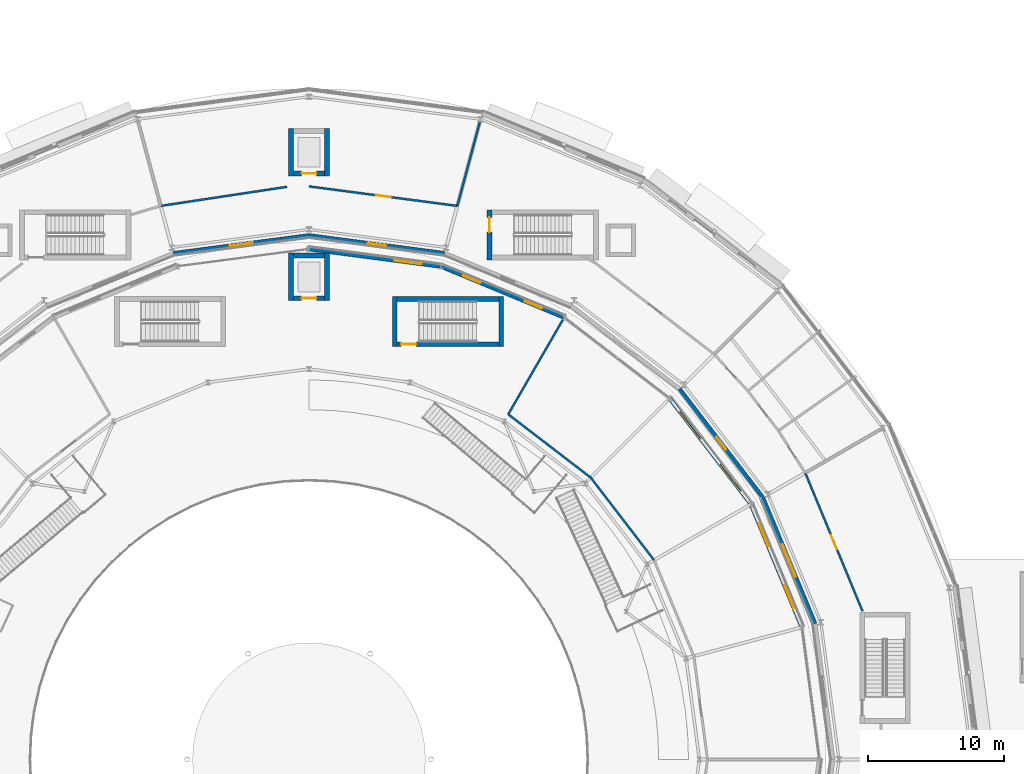
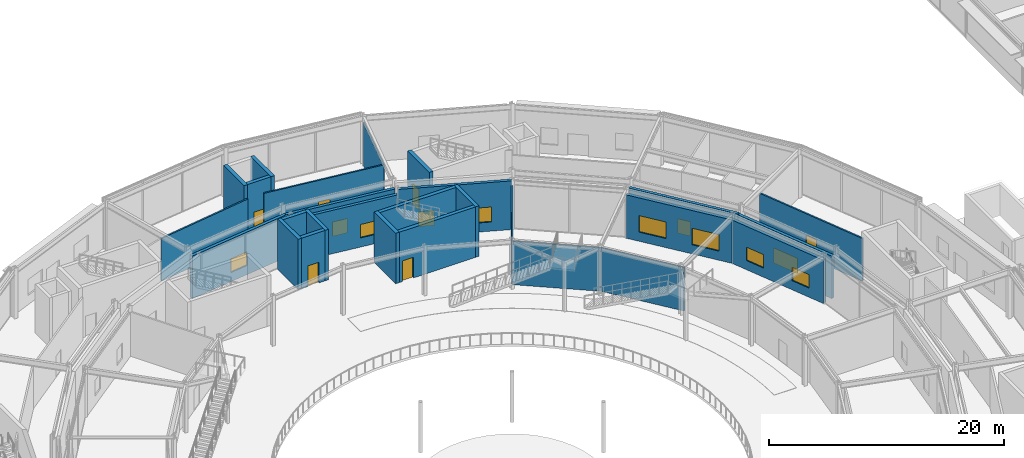
# One storey, part 125 of 168: 27 walls, 11 windows, 6 doors, 17 openings.
"""IFC4 building model written with IfcOpenShell, lengths in metres."""

from ifc_helpers import new_model, si_unit, direction, frame, frame_2d, origin, place, context, subcontext, project, spatial, rectangle, extrude, material, layer, layer_set, type_object, element, fill, save


model = new_model("IFC4")

# Units and contexts
model_context = context("Model", 3, precision=1e-05, world=origin(), true_north=direction((0.0, 1.0)))
body_context = subcontext(model_context, "Body", "Model", "MODEL_VIEW")
ifc_project = project(units=[si_unit("LENGTHUNIT", "METRE"), si_unit("AREAUNIT", "SQUARE_METRE"), si_unit("VOLUMEUNIT", "CUBIC_METRE"), si_unit("PLANEANGLEUNIT", "RADIAN"), si_unit("MASSUNIT", "GRAM", prefix="KILO")], contexts=[model_context])

# Site, building, storey
site_placement = place(None, origin())
site = spatial("IfcSite", under=ifc_project, at=site_placement, CompositionType="ELEMENT")
building_placement = place(site_placement, origin())
building = spatial("IfcBuilding", under=site, at=building_placement, Name="Almandine Court Research Institute", CompositionType="ELEMENT")
storey_placement = place(building_placement, origin())
storey = spatial("IfcBuildingStorey", under=building, at=storey_placement, Name="L00", CompositionType="ELEMENT", Elevation=0.0)

# Wall, opening, window
ifc_material_1 = material(Name="Insulated Ochre Terracotta Rainscreen Wall", Category="masonry")
ifc_layer_1 = layer(ifc_material_1, 0.2900390625)
ifc_layer_set_1 = layer_set([ifc_layer_1], Name="Insulated Ochre Terracotta Rainscreen Wall")
wall_type_1 = type_object("IfcWallType", Name="Wall-EXT-TERR-290", PredefinedType="SOLIDWALL", material=ifc_layer_set_1)
wall_1_placement = place(storey_placement, frame((124.341064453125, 66.011962890625, 0.0), z_axis=(0.0, 0.0, 1.0), x_axis=(-0.382733240508, 0.92385889973, 0.0)))
wall_1 = element("IfcWall", 1, at=wall_1_placement, inside=storey, type_object=wall_type_1, Name="L00 Drum Inner Gallery Wall 01", PredefinedType="SOLIDWALL", context=body_context, shape_type="SweptSolid", body=[
    extrude(rectangle(XDim=10.08056640625, YDim=0.2900390625, at=frame_2d((5.040283203125, 0.0))), origin(), (0.0, 0.0, 1.0), 4.43310546875),
])
opening_1_placement = place(wall_1_placement, frame((3.7451171875, 0.0, 0.949951171875)))
opening_1 = element("IfcOpeningElement", 2, at=opening_1_placement, cuts=wall_1, Name="Opening WN-99", PredefinedType="OPENING", context=body_context, shape_type="SweptSolid", body=[
    extrude(rectangle(XDim=2.590087890625, YDim=1.590087890625, at=frame_2d((1.294921875, 0.794921875))), frame((0.0, 0.155029296875, 0.0), z_axis=(0.0, -1.0, 0.0), x_axis=(1.0, 0.0, 0.0)), (0.0, 0.0, 1.0), 0.31005859375),
])
ifc_material_2 = material(Name="Thermally Broken Low-E Double-Glazed Window", Category="glass")
window_type_1 = type_object("IfcWindowType", Name="Win-WN-99-2590x1590", PartitioningType="SINGLE_PANEL", PredefinedType="WINDOW", material=ifc_material_2)
window_1_placement = place(opening_1_placement, origin())
window_1 = element("IfcWindow", 3, at=window_1_placement, inside=storey, type_object=window_type_1, Name="L00 Modular Recessed Low-E Window 212", OverallHeight=1.590087890625, OverallWidth=2.590087890625, PartitioningType="SINGLE_PANEL", PredefinedType="WINDOW", context=body_context, shape_type="SweptSolid", body=[
    extrude(rectangle(XDim=2.590087890625, YDim=1.590087890625, at=frame_2d((1.294921875, 0.794921875))), frame((0.0, 0.030029296875, 0.0), z_axis=(0.0, -1.0, 0.0), x_axis=(1.0, 0.0, 0.0)), (0.0, 0.0, 1.0), 0.06005859375),
])
fill(opening_1, window_1)

wall_2_placement = place(storey_placement, frame((120.47705078125, 75.3349609375, 0.0), z_axis=(0.0, 0.0, 1.0), x_axis=(-0.608737604027, 0.793371621275, 0.0)))
wall_2 = element("IfcWall", 4, at=wall_2_placement, inside=storey, type_object=wall_type_1, Name="L00 Drum Inner Gallery Wall 02", PredefinedType="SOLIDWALL", context=body_context, shape_type="SweptSolid", body=[
    extrude(rectangle(XDim=10.079833984375, YDim=0.2900390625, at=frame_2d((5.0400390625, 0.0))), origin(), (0.0, 0.0, 1.0), 4.51611328125),
])
opening_2_placement = place(wall_2_placement, frame((4.4599609375, 0.0, 0.949951171875)))
opening_2 = element("IfcOpeningElement", 5, at=opening_2_placement, cuts=wall_2, Name="Opening WN-100", PredefinedType="OPENING", context=body_context, shape_type="SweptSolid", body=[
    extrude(rectangle(XDim=1.159912109375, YDim=1.510009765625, at=frame_2d((0.580078125, 0.7548828125))), frame((0.0, 0.155029296875, 0.0), z_axis=(0.0, -1.0, 0.0), x_axis=(1.0, 0.0, 0.0)), (0.0, 0.0, 1.0), 0.31005859375),
])
window_type_2 = type_object("IfcWindowType", Name="Win-WN-100-1160x1510", PartitioningType="SINGLE_PANEL", PredefinedType="WINDOW", material=ifc_material_2)
window_2_placement = place(opening_2_placement, origin())
window_2 = element("IfcWindow", 6, at=window_2_placement, inside=storey, type_object=window_type_2, Name="L00 Modular Recessed Low-E Window 213", OverallHeight=1.510009765625, OverallWidth=1.159912109375, PartitioningType="SINGLE_PANEL", PredefinedType="WINDOW", context=body_context, shape_type="SweptSolid", body=[
    extrude(rectangle(XDim=1.159912109375, YDim=1.510009765625, at=frame_2d((0.580078125, 0.7548828125))), frame((0.0, 0.030029296875, 0.0), z_axis=(0.0, -1.0, 0.0), x_axis=(1.0, 0.0, 0.0)), (0.0, 0.0, 1.0), 0.06005859375),
])
fill(opening_2, window_2)

wall_3_placement = place(storey_placement, frame((97.0, 93.343994140625, 0.0), z_axis=(0.0, 0.0, 1.0), x_axis=(-0.991454872597, 0.130450126879, 0.0)))
wall_3 = element("IfcWall", 7, at=wall_3_placement, inside=storey, type_object=wall_type_1, Name="L00 Drum Inner Gallery Wall 05", PredefinedType="SOLIDWALL", context=body_context, shape_type="SweptSolid", body=[
    extrude(rectangle(XDim=10.080078125, YDim=0.2900390625, at=frame_2d((5.0400390625, 0.0))), origin(), (0.0, 0.0, 1.0), 4.43310546875),
])
opening_3_placement = place(wall_3_placement, frame((4.35009765625, 0.0, 0.949951171875)))
opening_3 = element("IfcOpeningElement", 8, at=opening_3_placement, cuts=wall_3, Name="Opening WN-102", PredefinedType="OPENING", context=body_context, shape_type="SweptSolid", body=[
    extrude(rectangle(XDim=1.3798828125, YDim=1.510009765625, at=frame_2d((0.68994140625, 0.7548828125))), frame((0.0, 0.155029296875, 0.0), z_axis=(0.0, -1.0, 0.0), x_axis=(1.0, 0.0, 0.0)), (0.0, 0.0, 1.0), 0.31005859375),
])
window_type_3 = type_object("IfcWindowType", Name="Win-WN-102-1380x1510", PartitioningType="SINGLE_PANEL", PredefinedType="WINDOW", material=ifc_material_2)
window_3_placement = place(opening_3_placement, origin())
window_3 = element("IfcWindow", 9, at=window_3_placement, inside=storey, type_object=window_type_3, Name="L00 Modular Recessed Low-E Window 219", OverallHeight=1.510009765625, OverallWidth=1.3798828125, PartitioningType="SINGLE_PANEL", PredefinedType="WINDOW", context=body_context, shape_type="SweptSolid", body=[
    extrude(rectangle(XDim=1.3798828125, YDim=1.510009765625, at=frame_2d((0.68994140625, 0.7548828125))), frame((0.0, 0.030029296875, 0.0), z_axis=(0.0, -1.0, 0.0), x_axis=(1.0, 0.0, 0.0)), (0.0, 0.0, 1.0), 0.06005859375),
])
fill(opening_3, window_3)

wall_4_placement = place(storey_placement, frame((86.993896484375, 94.658935546875, 0.0), z_axis=(0.0, 0.0, 1.0), x_axis=(-0.991454872597, -0.130450126879, 0.0)))
wall_4 = element("IfcWall", 10, at=wall_4_placement, inside=storey, type_object=wall_type_1, Name="L00 Drum Inner Gallery Wall 06", PredefinedType="SOLIDWALL", context=body_context, shape_type="SweptSolid", body=[
    extrude(rectangle(XDim=10.080078125, YDim=0.2900390625, at=frame_2d((5.0400390625, 0.0))), origin(), (0.0, 0.0, 1.0), 4.43310546875),
])
opening_4_placement = place(wall_4_placement, frame((4.18505859375, 0.0, 0.949951171875)))
opening_4 = element("IfcOpeningElement", 11, at=opening_4_placement, cuts=wall_4, Name="Opening WN-103", PredefinedType="OPENING", context=body_context, shape_type="SweptSolid", body=[
    extrude(rectangle(XDim=1.7099609375, YDim=1.429931640625, at=frame_2d((0.85498046875, 0.71484375))), frame((0.0, 0.155029296875, 0.0), z_axis=(0.0, -1.0, 0.0), x_axis=(1.0, 0.0, 0.0)), (0.0, 0.0, 1.0), 0.31005859375),
])
window_type_4 = type_object("IfcWindowType", Name="Win-WN-103-1710x1430", PartitioningType="SINGLE_PANEL", PredefinedType="WINDOW", material=ifc_material_2)
window_4_placement = place(opening_4_placement, origin())
window_4 = element("IfcWindow", 12, at=window_4_placement, inside=storey, type_object=window_type_4, Name="L00 Modular Recessed Low-E Window 220", OverallHeight=1.429931640625, OverallWidth=1.7099609375, PartitioningType="SINGLE_PANEL", PredefinedType="WINDOW", context=body_context, shape_type="SweptSolid", body=[
    extrude(rectangle(XDim=1.7099609375, YDim=1.429931640625, at=frame_2d((0.85498046875, 0.71484375))), frame((0.0, 0.030029296875, 0.0), z_axis=(0.0, -1.0, 0.0), x_axis=(1.0, 0.0, 0.0)), (0.0, 0.0, 1.0), 0.06005859375),
])
fill(opening_4, window_4)

# Wall, openings, windows
wall_5_placement = place(storey_placement, frame((119.60693359375, 74.821044921875, 0.0), z_axis=(0.0, 0.0, 1.0), x_axis=(0.382759423628, -0.923848052238, 0.0)))
wall_5 = element("IfcWall", 13, at=wall_5_placement, inside=storey, type_object=wall_type_1, Name="L00 Interaction Atrium Perimeter Wall 01", PredefinedType="SOLIDWALL", context=body_context, shape_type="SweptSolid", body=[
    extrude(rectangle(XDim=9.82080078125, YDim=0.2900390625, at=frame_2d((4.910400390625, 0.0))), origin(), (0.0, 0.0, 1.0), 4.511962890625),
])
opening_5_placement = place(wall_5_placement, frame((1.544921875, 0.0, 0.949951171875)))
opening_5 = element("IfcOpeningElement", 14, at=opening_5_placement, cuts=wall_5, Name="Opening WN-09", PredefinedType="OPENING", context=body_context, shape_type="SweptSolid", body=[
    extrude(rectangle(XDim=1.820068359375, YDim=1.39990234375, at=frame_2d((0.91015625, 0.699951171875))), frame((0.0, 0.155029296875, 0.0), z_axis=(0.0, -1.0, 0.0), x_axis=(1.0, 0.0, 0.0)), (0.0, 0.0, 1.0), 0.31005859375),
])
opening_6_placement = place(wall_5_placement, frame((6.4560546875, 0.0, 0.949951171875)))
opening_6 = element("IfcOpeningElement", 15, at=opening_6_placement, cuts=wall_5, Name="Opening WN-09", PredefinedType="OPENING", context=body_context, shape_type="SweptSolid", body=[
    extrude(rectangle(XDim=1.820068359375, YDim=1.39990234375, at=frame_2d((0.91015625, 0.699951171875))), frame((0.0, 0.155029296875, 0.0), z_axis=(0.0, -1.0, 0.0), x_axis=(1.0, 0.0, 0.0)), (0.0, 0.0, 1.0), 0.31005859375),
])
window_type_5 = type_object("IfcWindowType", Name="Win-WN-09-1820x1400", PartitioningType="SINGLE_PANEL", PredefinedType="WINDOW", material=ifc_material_2)
window_5_placement = place(opening_5_placement, origin())
window_5 = element("IfcWindow", 16, at=window_5_placement, inside=storey, type_object=window_type_5, Name="L00 Modular Recessed Low-E Window 311", OverallHeight=1.39990234375, OverallWidth=1.820068359375, PartitioningType="SINGLE_PANEL", PredefinedType="WINDOW", context=body_context, shape_type="SweptSolid", body=[
    extrude(rectangle(XDim=1.820068359375, YDim=1.39990234375, at=frame_2d((0.91015625, 0.699951171875))), frame((0.0, 0.030029296875, 0.0), z_axis=(0.0, -1.0, 0.0), x_axis=(1.0, 0.0, 0.0)), (0.0, 0.0, 1.0), 0.06005859375),
])
fill(opening_5, window_5)
window_6_placement = place(opening_6_placement, origin())
window_6 = element("IfcWindow", 17, at=window_6_placement, inside=storey, type_object=window_type_5, Name="L00 Modular Recessed Low-E Window 312", OverallHeight=1.39990234375, OverallWidth=1.820068359375, PartitioningType="SINGLE_PANEL", PredefinedType="WINDOW", context=body_context, shape_type="SweptSolid", body=[
    extrude(rectangle(XDim=1.820068359375, YDim=1.39990234375, at=frame_2d((0.91015625, 0.699951171875))), frame((0.0, 0.030029296875, 0.0), z_axis=(0.0, -1.0, 0.0), x_axis=(1.0, 0.0, 0.0)), (0.0, 0.0, 1.0), 0.06005859375),
])
fill(opening_6, window_6)

wall_6_placement = place(storey_placement, frame((113.625, 82.618896484375, 0.0), z_axis=(0.0, 0.0, 1.0), x_axis=(0.608746738158, -0.793364612762, 0.0)))
wall_6 = element("IfcWall", 18, at=wall_6_placement, inside=storey, type_object=wall_type_1, Name="L00 Interaction Atrium Perimeter Wall 02", PredefinedType="SOLIDWALL", context=body_context, shape_type="SweptSolid", body=[
    extrude(rectangle(XDim=9.8203125, YDim=0.2900390625, at=frame_2d((4.91015625, 0.0))), origin(), (0.0, 0.0, 1.0), 4.511962890625),
])
opening_7_placement = place(wall_6_placement, frame((1.215087890625, 0.0, 0.949951171875)))
opening_7 = element("IfcOpeningElement", 19, at=opening_7_placement, cuts=wall_6, Name="Opening WN-74", PredefinedType="OPENING", context=body_context, shape_type="SweptSolid", body=[
    extrude(rectangle(XDim=2.47998046875, YDim=1.719970703125, at=frame_2d((1.239990234375, 0.85986328125))), frame((0.0, 0.155029296875, 0.0), z_axis=(0.0, -1.0, 0.0), x_axis=(1.0, 0.0, 0.0)), (0.0, 0.0, 1.0), 0.31005859375),
])
opening_8_placement = place(wall_6_placement, frame((6.125, 0.0, 0.949951171875)))
opening_8 = element("IfcOpeningElement", 20, at=opening_8_placement, cuts=wall_6, Name="Opening WN-74", PredefinedType="OPENING", context=body_context, shape_type="SweptSolid", body=[
    extrude(rectangle(XDim=2.47998046875, YDim=1.719970703125, at=frame_2d((1.239990234375, 0.85986328125))), frame((0.0, 0.155029296875, 0.0), z_axis=(0.0, -1.0, 0.0), x_axis=(1.0, 0.0, 0.0)), (0.0, 0.0, 1.0), 0.31005859375),
])
window_type_6 = type_object("IfcWindowType", Name="Win-WN-74-2480x1720", PartitioningType="SINGLE_PANEL", PredefinedType="WINDOW", material=ifc_material_2)
window_7_placement = place(opening_7_placement, origin())
window_7 = element("IfcWindow", 21, at=window_7_placement, inside=storey, type_object=window_type_6, Name="L00 Modular Recessed Low-E Window 313", OverallHeight=1.719970703125, OverallWidth=2.47998046875, PartitioningType="SINGLE_PANEL", PredefinedType="WINDOW", context=body_context, shape_type="SweptSolid", body=[
    extrude(rectangle(XDim=2.47998046875, YDim=1.719970703125, at=frame_2d((1.239990234375, 0.85986328125))), frame((0.0, 0.030029296875, 0.0), z_axis=(0.0, -1.0, 0.0), x_axis=(1.0, 0.0, 0.0)), (0.0, 0.0, 1.0), 0.06005859375),
])
fill(opening_7, window_7)
window_8_placement = place(opening_8_placement, origin())
window_8 = element("IfcWindow", 22, at=window_8_placement, inside=storey, type_object=window_type_6, Name="L00 Modular Recessed Low-E Window 314", OverallHeight=1.719970703125, OverallWidth=2.47998046875, PartitioningType="SINGLE_PANEL", PredefinedType="WINDOW", context=body_context, shape_type="SweptSolid", body=[
    extrude(rectangle(XDim=2.47998046875, YDim=1.719970703125, at=frame_2d((1.239990234375, 0.85986328125))), frame((0.0, 0.030029296875, 0.0), z_axis=(0.0, -1.0, 0.0), x_axis=(1.0, 0.0, 0.0)), (0.0, 0.0, 1.0), 0.06005859375),
])
fill(opening_8, window_8)

wall_7_placement = place(storey_placement, frame((96.748046875, 92.365966796875, 0.0), z_axis=(0.0, 0.0, 1.0), x_axis=(0.923848052238, -0.382759423628, 0.0)))
wall_7 = element("IfcWall", 23, at=wall_7_placement, inside=storey, type_object=wall_type_1, Name="L00 Interaction Atrium Perimeter Wall 04", PredefinedType="SOLIDWALL", context=body_context, shape_type="SweptSolid", body=[
    extrude(rectangle(XDim=9.82080078125, YDim=0.2900390625, at=frame_2d((4.910400390625, 0.0))), origin(), (0.0, 0.0, 1.0), 5.070068359375),
])
opening_9_placement = place(wall_7_placement, frame((1.764892578125, 0.0, 0.949951171875)))
opening_9 = element("IfcOpeningElement", 24, at=opening_9_placement, cuts=wall_7, Name="Opening WN-75", PredefinedType="OPENING", context=body_context, shape_type="SweptSolid", body=[
    extrude(rectangle(XDim=1.3798828125, YDim=1.56005859375, at=frame_2d((0.68994140625, 0.780029296875))), frame((0.0, 0.155029296875, 0.0), z_axis=(0.0, -1.0, 0.0), x_axis=(1.0, 0.0, 0.0)), (0.0, 0.0, 1.0), 0.31005859375),
])
opening_10_placement = place(wall_7_placement, frame((6.676025390625, 0.0, 0.949951171875)))
opening_10 = element("IfcOpeningElement", 25, at=opening_10_placement, cuts=wall_7, Name="Opening WN-75", PredefinedType="OPENING", context=body_context, shape_type="SweptSolid", body=[
    extrude(rectangle(XDim=1.3798828125, YDim=1.56005859375, at=frame_2d((0.68994140625, 0.780029296875))), frame((0.0, 0.155029296875, 0.0), z_axis=(0.0, -1.0, 0.0), x_axis=(1.0, 0.0, 0.0)), (0.0, 0.0, 1.0), 0.31005859375),
])
window_type_7 = type_object("IfcWindowType", Name="Win-WN-75-1380x1560", PartitioningType="SINGLE_PANEL", PredefinedType="WINDOW", material=ifc_material_2)
window_9_placement = place(opening_9_placement, origin())
window_9 = element("IfcWindow", 26, at=window_9_placement, inside=storey, type_object=window_type_7, Name="L00 Modular Recessed Low-E Window 315", OverallHeight=1.56005859375, OverallWidth=1.3798828125, PartitioningType="SINGLE_PANEL", PredefinedType="WINDOW", context=body_context, shape_type="SweptSolid", body=[
    extrude(rectangle(XDim=1.3798828125, YDim=1.56005859375, at=frame_2d((0.68994140625, 0.780029296875))), frame((0.0, 0.030029296875, 0.0), z_axis=(0.0, -1.0, 0.0), x_axis=(1.0, 0.0, 0.0)), (0.0, 0.0, 1.0), 0.06005859375),
])
fill(opening_9, window_9)
window_10_placement = place(opening_10_placement, origin())
window_10 = element("IfcWindow", 27, at=window_10_placement, inside=storey, type_object=window_type_7, Name="L00 Modular Recessed Low-E Window 316", OverallHeight=1.56005859375, OverallWidth=1.3798828125, PartitioningType="SINGLE_PANEL", PredefinedType="WINDOW", context=body_context, shape_type="SweptSolid", body=[
    extrude(rectangle(XDim=1.3798828125, YDim=1.56005859375, at=frame_2d((0.68994140625, 0.780029296875))), frame((0.0, 0.030029296875, 0.0), z_axis=(0.0, -1.0, 0.0), x_axis=(1.0, 0.0, 0.0)), (0.0, 0.0, 1.0), 0.06005859375),
])
fill(opening_10, window_10)

# Wall, opening, window
wall_8_placement = place(storey_placement, frame((87.00390625, 93.64892578125, 0.0), z_axis=(0.0, 0.0, 1.0), x_axis=(0.991456749128, -0.130435863969, 0.0)))
wall_8 = element("IfcWall", 28, at=wall_8_placement, inside=storey, type_object=wall_type_1, Name="L00 Interaction Atrium Perimeter Wall 05", PredefinedType="SOLIDWALL", context=body_context, shape_type="SweptSolid", body=[
    extrude(rectangle(XDim=9.821044921875, YDim=0.2900390625, at=frame_2d((4.91064453125, 0.0))), origin(), (0.0, 0.0, 1.0), 4.51611328125),
])
opening_11_placement = place(wall_8_placement, frame((6.345947265625, 0.0, 0.949951171875)))
opening_11 = element("IfcOpeningElement", 29, at=opening_11_placement, cuts=wall_8, Name="Opening WN-76", PredefinedType="OPENING", context=body_context, shape_type="SweptSolid", body=[
    extrude(rectangle(XDim=2.0400390625, YDim=1.39990234375, at=frame_2d((1.02001953125, 0.699951171875))), frame((0.0, 0.155029296875, 0.0), z_axis=(0.0, -1.0, 0.0), x_axis=(1.0, 0.0, 0.0)), (0.0, 0.0, 1.0), 0.31005859375),
])
window_type_8 = type_object("IfcWindowType", Name="Win-WN-76-2040x1400", PartitioningType="SINGLE_PANEL", PredefinedType="WINDOW", material=ifc_material_2)
window_11_placement = place(opening_11_placement, origin())
window_11 = element("IfcWindow", 30, at=window_11_placement, inside=storey, type_object=window_type_8, Name="L00 Modular Recessed Low-E Window 317", OverallHeight=1.39990234375, OverallWidth=2.0400390625, PartitioningType="SINGLE_PANEL", PredefinedType="WINDOW", context=body_context, shape_type="SweptSolid", body=[
    extrude(rectangle(XDim=2.0400390625, YDim=1.39990234375, at=frame_2d((1.02001953125, 0.699951171875))), frame((0.0, 0.030029296875, 0.0), z_axis=(0.0, -1.0, 0.0), x_axis=(1.0, 0.0, 0.0)), (0.0, 0.0, 1.0), 0.06005859375),
])
fill(opening_11, window_11)

# Wall, opening, door
ifc_material_3 = material(Name="Acoustic Steel-Stud Gypsum Partition Wall", Category="steel")
ifc_layer_2 = layer(ifc_material_3, 0.14990234375)
ifc_layer_set_2 = layer_set([ifc_layer_2], Name="Acoustic Steel-Stud Gypsum Partition Wall")
wall_type_2 = type_object("IfcWallType", Name="Wall-PART-150", PredefinedType="PARTITIONING", material=ifc_layer_set_2)
wall_9_placement = place(storey_placement, frame((127.839111328125, 66.943115234375, 0.0), z_axis=(0.0, 0.0, 1.0), x_axis=(-0.382644845446, 0.923895514793, 0.0)))
wall_9 = element("IfcWall", 31, at=wall_9_placement, inside=storey, type_object=wall_type_2, Name="L00 Interior Partition W-V5-L00-CHD-01", PredefinedType="PARTITIONING", context=body_context, shape_type="SweptSolid", body=[
    extrude(rectangle(XDim=11.03662109375, YDim=0.14990234375, at=frame_2d((5.518310546875, 0.0))), origin(), (0.0, 0.0, 1.0), 4.43798828125),
])
opening_12_placement = place(wall_9_placement, frame((4.949951171875, 0.0, 0.0)))
opening_12 = element("IfcOpeningElement", 32, at=opening_12_placement, cuts=wall_9, Name="Opening D-03", PredefinedType="OPENING", context=body_context, shape_type="SweptSolid", body=[
    extrude(rectangle(XDim=1.10009765625, YDim=2.199951171875, at=frame_2d((0.550048828125, 1.10009765625))), frame((0.0, 0.0849609375, 0.0), z_axis=(0.0, -1.0, 0.0), x_axis=(1.0, 0.0, 0.0)), (0.0, 0.0, 1.0), 0.169921875),
])
ifc_material_4 = material(Name="Acoustic Vision-Panel Seminar Door")
door_type_1 = type_object("IfcDoorType", Name="Door-INT-1100", OperationType="NOTDEFINED", PredefinedType="DOOR", material=ifc_material_4)
door_1_placement = place(opening_12_placement, origin())
door_1 = element("IfcDoor", 33, at=door_1_placement, inside=storey, type_object=door_type_1, Name="L00 Drum Write-up Office Door", OperationType="SINGLE_SWING_RIGHT", OverallHeight=2.199951171875, OverallWidth=1.10009765625, PredefinedType="DOOR", context=body_context, shape_type="SweptSolid", body=[
    extrude(rectangle(XDim=1.10009765625, YDim=2.199951171875, at=frame_2d((0.550048828125, 1.10009765625))), frame((0.0, 0.02490234375, 0.0), z_axis=(0.0, -1.0, 0.0), x_axis=(1.0, 0.0, 0.0)), (0.0, 0.0, 1.0), 0.050048828125),
])
fill(opening_12, door_1)

wall_10_placement = place(storey_placement, frame((97.943115234375, 96.839111328125, 0.0), z_axis=(0.0, 0.0, 1.0), x_axis=(-0.991442170204, 0.130546632054, 0.0)))
wall_10 = element("IfcWall", 34, at=wall_10_placement, inside=storey, type_object=wall_type_2, Name="L00 Interior Partition W-V5-L00-CHD-05", PredefinedType="PARTITIONING", context=body_context, shape_type="SweptSolid", body=[
    extrude(rectangle(XDim=11.03759765625, YDim=0.14990234375, at=frame_2d((5.518798828125, 0.0))), origin(), (0.0, 0.0, 1.0), 4.43798828125),
])
opening_13_placement = place(wall_10_placement, frame((4.949951171875, 0.0, 0.0)))
opening_13 = element("IfcOpeningElement", 35, at=opening_13_placement, cuts=wall_10, Name="Opening D-03", PredefinedType="OPENING", context=body_context, shape_type="SweptSolid", body=[
    extrude(rectangle(XDim=1.10009765625, YDim=2.199951171875, at=frame_2d((0.550048828125, 1.10009765625))), frame((0.0, 0.0849609375, 0.0), z_axis=(0.0, -1.0, 0.0), x_axis=(1.0, 0.0, 0.0)), (0.0, 0.0, 1.0), 0.169921875),
])
door_2_placement = place(opening_13_placement, origin())
door_2 = element("IfcDoor", 36, at=door_2_placement, inside=storey, type_object=door_type_1, Name="L00 Drum Instrument Room Door", OperationType="SINGLE_SWING_RIGHT", OverallHeight=2.199951171875, OverallWidth=1.10009765625, PredefinedType="DOOR", context=body_context, shape_type="SweptSolid", body=[
    extrude(rectangle(XDim=1.10009765625, YDim=2.199951171875, at=frame_2d((0.550048828125, 1.10009765625))), frame((0.0, 0.02490234375, 0.0), z_axis=(0.0, -1.0, 0.0), x_axis=(1.0, 0.0, 0.0)), (0.0, 0.0, 1.0), 0.050048828125),
])
fill(opening_13, door_2)

# Walls
wall_11_placement = place(storey_placement, frame((85.376953125, 98.2490234375, 0.0), z_axis=(0.0, 0.0, 1.0), x_axis=(-0.988750352389, -0.149575200656, 0.0)))
element("IfcWall", 37, at=wall_11_placement, inside=storey, type_object=wall_type_2, Name="L00 Interior Partition W-V5-L00-CHD-06", PredefinedType="PARTITIONING", context=body_context, shape_type="SweptSolid", body=[
    extrude(rectangle(XDim=9.426025390625, YDim=0.14990234375, at=frame_2d((4.712890625, 0.0))), origin(), (0.0, 0.0, 1.0), 4.43798828125),
])
wall_12_placement = place(storey_placement, frame((97.943115234375, 96.839111328125, 0.0), z_axis=(0.0, 0.0, 1.0), x_axis=(0.258832719409, 0.965922162166, 0.0)))
element("IfcWall", 38, at=wall_12_placement, inside=storey, type_object=wall_type_2, Name="L00 Interior Partition W-V5-L00-RAD-05", PredefinedType="PARTITIONING", context=body_context, shape_type="SweptSolid", body=[
    extrude(rectangle(XDim=6.4404296875, YDim=0.14990234375, at=frame_2d((3.22021484375, 0.0))), origin(), (0.0, 0.0, 1.0), 4.43798828125),
])
for number, where, z_axis, x_axis, name in (
    (39, (112.4609375, 70.699951171875, 0.0), (0.0, 0.0, 1.0), (-0.60872333878, 0.793382566499, 0.0), "L00 Interior Partition W-V2-L00-CHD-02"),
    (40, (107.7890625, 76.7890625, 0.0), (0.0, 0.0, 1.0), (-0.793382566499, 0.60872333878, 0.0), "L00 Interior Partition W-V2-L00-CHD-03"),
):
    element("IfcWall", number, at=place(storey_placement, frame(where, z_axis=z_axis, x_axis=x_axis)), inside=storey, type_object=wall_type_2, Name=name, PredefinedType="PARTITIONING", context=body_context, shape_type="SweptSolid", body=[
        extrude(rectangle(XDim=7.6748046875, YDim=0.14990234375, at=frame_2d((3.83740234375, 0.0))), origin(), (0.0, 0.0, 1.0), 4.51708984375),
    ])
wall_13_placement = place(storey_placement, frame((101.699951171875, 81.4609375, 0.0), z_axis=(0.0, 0.0, 1.0), x_axis=(0.499973530083, 0.866040685659, 0.0)))
element("IfcWall", 41, at=wall_13_placement, inside=storey, type_object=wall_type_2, Name="L00 Interior Partition W-V2-L00-RAD-04", PredefinedType="PARTITIONING", context=body_context, shape_type="SweptSolid", body=[
    extrude(rectangle(XDim=8.08056640625, YDim=0.14990234375, at=frame_2d((4.040283203125, 0.0))), origin(), (0.0, 0.0, 1.0), 4.597900390625),
])
ifc_material_5 = material(Name="Concrete C40/50", Category="concrete")
ifc_layer_3 = layer(ifc_material_5, 0.35009765625)
ifc_layer_set_3 = layer_set([ifc_layer_3], Name="Concrete C40/50")
wall_type_3 = type_object("IfcWallType", Name="Wall-SW-CORE-350", PredefinedType="SHEAR", material=ifc_layer_set_3)
wall_14_placement = place(storey_placement, frame((93.324951171875, 86.449951171875, 0.0), z_axis=(0.0, 0.0, 1.0), x_axis=(0.0, 1.0, 0.0)))
element("IfcWall", 42, at=wall_14_placement, inside=storey, type_object=wall_type_3, Name="L00 ST-03 W Shear Wall", PredefinedType="SHEAR", context=body_context, shape_type="SweptSolid", body=[
    extrude(rectangle(XDim=3.699951171875, YDim=0.35009765625, at=frame_2d((1.85009765625, 0.0))), origin(), (0.0, 0.0, 1.0), 5.25),
])
wall_15_placement = place(storey_placement, frame((93.5, 89.97509765625, 0.0), z_axis=(0.0, 0.0, 1.0), x_axis=(1.0, 0.0, 0.0)))
element("IfcWall", 43, at=wall_15_placement, inside=storey, type_object=wall_type_3, Name="L00 ST-03 N Shear Wall", PredefinedType="SHEAR", context=body_context, shape_type="SweptSolid", body=[
    extrude(rectangle(XDim=7.5, YDim=0.35009765625, at=frame_2d((3.75, 0.0))), origin(), (0.0, 0.0, 1.0), 5.25),
])
wall_16_placement = place(storey_placement, frame((101.175048828125, 90.14990234375, 0.0), z_axis=(0.0, 0.0, 1.0), x_axis=(0.0, -1.0, 0.0)))
element("IfcWall", 44, at=wall_16_placement, inside=storey, type_object=wall_type_3, Name="L00 ST-03 E Shear Wall", PredefinedType="SHEAR", context=body_context, shape_type="SweptSolid", body=[
    extrude(rectangle(XDim=3.699951171875, YDim=0.35009765625, at=frame_2d((1.85009765625, 0.0))), origin(), (0.0, 0.0, 1.0), 5.25),
])

# Wall, opening, door
wall_17_placement = place(storey_placement, frame((101.0, 86.625, 0.0), z_axis=(0.0, 0.0, 1.0), x_axis=(-1.0, 0.0, 0.0)))
wall_17 = element("IfcWall", 45, at=wall_17_placement, inside=storey, type_object=wall_type_3, Name="L00 ST-03 S Shear Wall", PredefinedType="SHEAR", context=body_context, shape_type="SweptSolid", body=[
    extrude(rectangle(XDim=7.5, YDim=0.35009765625, at=frame_2d((3.75, 0.0))), origin(), (0.0, 0.0, 1.0), 5.25),
])
opening_14_placement = place(wall_17_placement, frame((6.10009765625, 0.0, 0.0)))
opening_14 = element("IfcOpeningElement", 46, at=opening_14_placement, cuts=wall_17, Name="Opening FD-STAIR", PredefinedType="OPENING", context=body_context, shape_type="SweptSolid", body=[
    extrude(rectangle(XDim=1.10009765625, YDim=2.14990234375, at=frame_2d((0.550048828125, 1.074951171875))), frame((0.0, 0.18505859375, 0.0), z_axis=(0.0, -1.0, 0.0), x_axis=(1.0, 0.0, 0.0)), (0.0, 0.0, 1.0), 0.3701171875),
])
ifc_material_6 = material(Name="Self-Closing Steel Exit Stair Fire Door", Category="steel")
door_type_2 = type_object("IfcDoorType", Name="Door-FD-STAIR-1100", OperationType="NOTDEFINED", PredefinedType="DOOR", material=ifc_material_6)
door_3_placement = place(opening_14_placement, origin())
door_3 = element("IfcDoor", 47, at=door_3_placement, inside=storey, type_object=door_type_2, Name="L00 Exit Stair ST-03 Fire Door", OperationType="SINGLE_SWING_RIGHT", OverallHeight=2.14990234375, OverallWidth=1.10009765625, PredefinedType="DOOR", context=body_context, shape_type="SweptSolid", body=[
    extrude(rectangle(XDim=1.10009765625, YDim=2.14990234375, at=frame_2d((0.550048828125, 1.074951171875))), frame((0.0, 0.02490234375, 0.0), z_axis=(0.0, -1.0, 0.0), x_axis=(1.0, 0.0, 0.0)), (0.0, 0.0, 1.0), 0.050048828125),
])
fill(opening_14, door_3)

wall_18_placement = place(storey_placement, frame((100.324951171875, 92.85009765625, 0.0), z_axis=(0.0, 0.0, 1.0), x_axis=(0.0, 1.0, 0.0)))
wall_18 = element("IfcWall", 48, at=wall_18_placement, inside=storey, type_object=wall_type_3, Name="L00 ST-09 W Shear Wall", PredefinedType="SHEAR", context=body_context, shape_type="SweptSolid", body=[
    extrude(rectangle(XDim=3.699951171875, YDim=0.35009765625, at=frame_2d((1.85009765625, 0.0))), origin(), (0.0, 0.0, 1.0), 5.25),
])
opening_15_placement = place(wall_18_placement, frame((2.050048828125, 0.0, 0.0)))
opening_15 = element("IfcOpeningElement", 49, at=opening_15_placement, cuts=wall_18, Name="Opening FD-STAIR", PredefinedType="OPENING", context=body_context, shape_type="SweptSolid", body=[
    extrude(rectangle(XDim=1.10009765625, YDim=2.14990234375, at=frame_2d((0.550048828125, 1.074951171875))), frame((0.0, 0.18505859375, 0.0), z_axis=(0.0, -1.0, 0.0), x_axis=(1.0, 0.0, 0.0)), (0.0, 0.0, 1.0), 0.3701171875),
])
door_4_placement = place(opening_15_placement, origin())
door_4 = element("IfcDoor", 50, at=door_4_placement, inside=storey, type_object=door_type_2, Name="L00 Exit Stair ST-09 Fire Door", OperationType="SINGLE_SWING_RIGHT", OverallHeight=2.14990234375, OverallWidth=1.10009765625, PredefinedType="DOOR", context=body_context, shape_type="SweptSolid", body=[
    extrude(rectangle(XDim=1.10009765625, YDim=2.14990234375, at=frame_2d((0.550048828125, 1.074951171875))), frame((0.0, 0.02490234375, 0.0), z_axis=(0.0, -1.0, 0.0), x_axis=(1.0, 0.0, 0.0)), (0.0, 0.0, 1.0), 0.050048828125),
])
fill(opening_15, door_4)

# Walls
wall_19_placement = place(storey_placement, frame((85.675048828125, 89.85009765625, 0.0), z_axis=(0.0, 0.0, 1.0), x_axis=(0.0, 1.0, 0.0)))
element("IfcWall", 51, at=wall_19_placement, inside=storey, type_object=wall_type_3, Name="L00 PL-03 Hoistway W Shear Wall", PredefinedType="SHEAR", context=body_context, shape_type="SweptSolid", body=[
    extrude(rectangle(XDim=3.5, YDim=0.35009765625, at=frame_2d((1.75, 0.0))), origin(), (0.0, 0.0, 1.0), 5.25),
])
wall_20_placement = place(storey_placement, frame((85.85009765625, 93.175048828125, 0.0), z_axis=(0.0, 0.0, 1.0), x_axis=(1.0, 0.0, 0.0)))
element("IfcWall", 52, at=wall_20_placement, inside=storey, type_object=wall_type_3, Name="L00 PL-03 Hoistway N Shear Wall", PredefinedType="SHEAR", context=body_context, shape_type="SweptSolid", body=[
    extrude(rectangle(XDim=2.2998046875, YDim=0.35009765625, at=frame_2d((1.14990234375, 0.0))), origin(), (0.0, 0.0, 1.0), 5.25),
])
wall_21_placement = place(storey_placement, frame((88.324951171875, 93.35009765625, 0.0), z_axis=(0.0, 0.0, 1.0), x_axis=(0.0, -1.0, 0.0)))
element("IfcWall", 53, at=wall_21_placement, inside=storey, type_object=wall_type_3, Name="L00 PL-03 Hoistway E Shear Wall", PredefinedType="SHEAR", context=body_context, shape_type="SweptSolid", body=[
    extrude(rectangle(XDim=3.5, YDim=0.35009765625, at=frame_2d((1.75, 0.0))), origin(), (0.0, 0.0, 1.0), 5.25),
])

# Wall, opening, door
wall_22_placement = place(storey_placement, frame((88.14990234375, 90.02490234375, 0.0), z_axis=(0.0, 0.0, 1.0), x_axis=(-1.0, 0.0, 0.0)))
wall_22 = element("IfcWall", 54, at=wall_22_placement, inside=storey, type_object=wall_type_3, Name="L00 PL-03 Hoistway S Shear Wall", PredefinedType="SHEAR", context=body_context, shape_type="SweptSolid", body=[
    extrude(rectangle(XDim=2.2998046875, YDim=0.35009765625, at=frame_2d((1.14990234375, 0.0))), origin(), (0.0, 0.0, 1.0), 5.25),
])
opening_16_placement = place(wall_22_placement, frame((0.60009765625, 0.0, 0.0)))
opening_16 = element("IfcOpeningElement", 55, at=opening_16_placement, cuts=wall_22, Name="Opening LD-01", PredefinedType="OPENING", context=body_context, shape_type="SweptSolid", body=[
    extrude(rectangle(XDim=1.10009765625, YDim=2.14990234375, at=frame_2d((0.550048828125, 1.074951171875))), frame((0.0, 0.18505859375, 0.0), z_axis=(0.0, -1.0, 0.0), x_axis=(1.0, 0.0, 0.0)), (0.0, 0.0, 1.0), 0.3701171875),
])
ifc_material_7 = material(Name="Stainless Steel Lift Landing Sliding Door", Category="steel")
door_type_3 = type_object("IfcDoorType", Name="Door-LD-PASS-1100", OperationType="SLIDING_TO_LEFT", PredefinedType="USERDEFINED", material=ifc_material_7)
door_5_placement = place(opening_16_placement, origin())
door_5 = element("IfcDoor", 56, at=door_5_placement, inside=storey, type_object=door_type_3, Name="L00 Interaction Atrium Passenger Lift PL-03 Sliding Landing Door", ObjectType="LANDING DOOR", OperationType="SLIDING_TO_LEFT", OverallHeight=2.14990234375, OverallWidth=1.10009765625, PredefinedType="USERDEFINED", context=body_context, shape_type="SweptSolid", body=[
    extrude(rectangle(XDim=1.10009765625, YDim=2.14990234375, at=frame_2d((0.550048828125, 1.074951171875))), frame((0.0, 0.02490234375, 0.0), z_axis=(0.0, -1.0, 0.0), x_axis=(1.0, 0.0, 0.0)), (0.0, 0.0, 1.0), 0.050048828125),
])
fill(opening_16, door_5)

# Walls
for number, where, z_axis, x_axis, name in (
    (57, (85.675048828125, 99.050048828125, 0.0), (0.0, 0.0, 1.0), (0.0, 1.0, 0.0), "L00 PL-04 Hoistway W Shear Wall"),
    (58, (88.324951171875, 102.550048828125, 0.0), (0.0, 0.0, 1.0), (0.0, -1.0, 0.0), "L00 PL-04 Hoistway E Shear Wall"),
):
    element("IfcWall", number, at=place(storey_placement, frame(where, z_axis=z_axis, x_axis=x_axis)), inside=storey, type_object=wall_type_3, Name=name, PredefinedType="SHEAR", context=body_context, shape_type="SweptSolid", body=[
        extrude(rectangle(XDim=3.5, YDim=0.35009765625, at=frame_2d((1.75, 0.0))), origin(), (0.0, 0.0, 1.0), 5.25),
    ])

# Wall, opening, door
wall_23_placement = place(storey_placement, frame((88.14990234375, 99.22509765625, 0.0), z_axis=(0.0, 0.0, 1.0), x_axis=(-1.0, 0.0, 0.0)))
wall_23 = element("IfcWall", 59, at=wall_23_placement, inside=storey, type_object=wall_type_3, Name="L00 PL-04 Hoistway S Shear Wall", PredefinedType="SHEAR", context=body_context, shape_type="SweptSolid", body=[
    extrude(rectangle(XDim=2.2998046875, YDim=0.35009765625, at=frame_2d((1.14990234375, 0.0))), origin(), (0.0, 0.0, 1.0), 5.25),
])
opening_17_placement = place(wall_23_placement, frame((0.60009765625, 0.0, 0.0)))
opening_17 = element("IfcOpeningElement", 60, at=opening_17_placement, cuts=wall_23, Name="Opening LD-01", PredefinedType="OPENING", context=body_context, shape_type="SweptSolid", body=[
    extrude(rectangle(XDim=1.10009765625, YDim=2.14990234375, at=frame_2d((0.550048828125, 1.074951171875))), frame((0.0, 0.18505859375, 0.0), z_axis=(0.0, -1.0, 0.0), x_axis=(1.0, 0.0, 0.0)), (0.0, 0.0, 1.0), 0.3701171875),
])
door_6_placement = place(opening_17_placement, origin())
door_6 = element("IfcDoor", 61, at=door_6_placement, inside=storey, type_object=door_type_3, Name="L00 Dry Laboratory Drum Passenger Lift PL-04 Sliding Landing Door", ObjectType="LANDING DOOR", OperationType="SLIDING_TO_LEFT", OverallHeight=2.14990234375, OverallWidth=1.10009765625, PredefinedType="USERDEFINED", context=body_context, shape_type="SweptSolid", body=[
    extrude(rectangle(XDim=1.10009765625, YDim=2.14990234375, at=frame_2d((0.550048828125, 1.074951171875))), frame((0.0, 0.02490234375, 0.0), z_axis=(0.0, -1.0, 0.0), x_axis=(1.0, 0.0, 0.0)), (0.0, 0.0, 1.0), 0.050048828125),
])
fill(opening_17, door_6)

save(model, "model.ifc")
